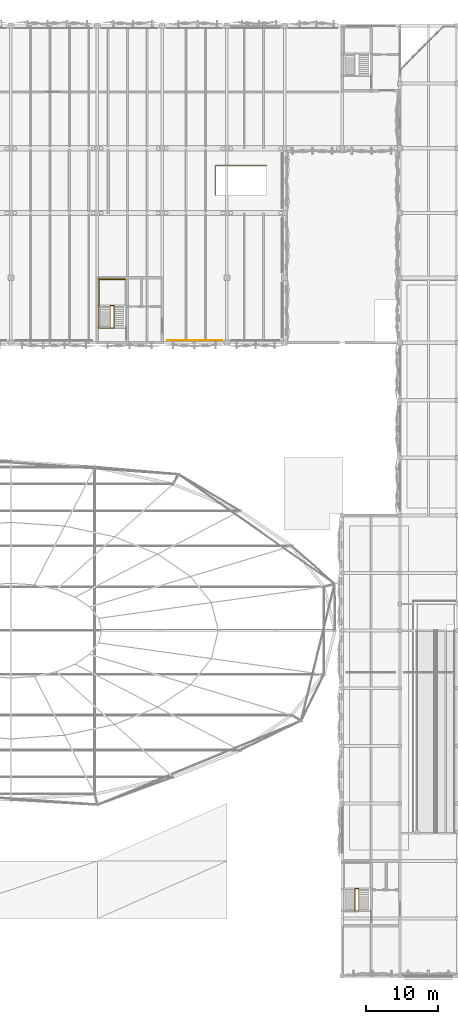
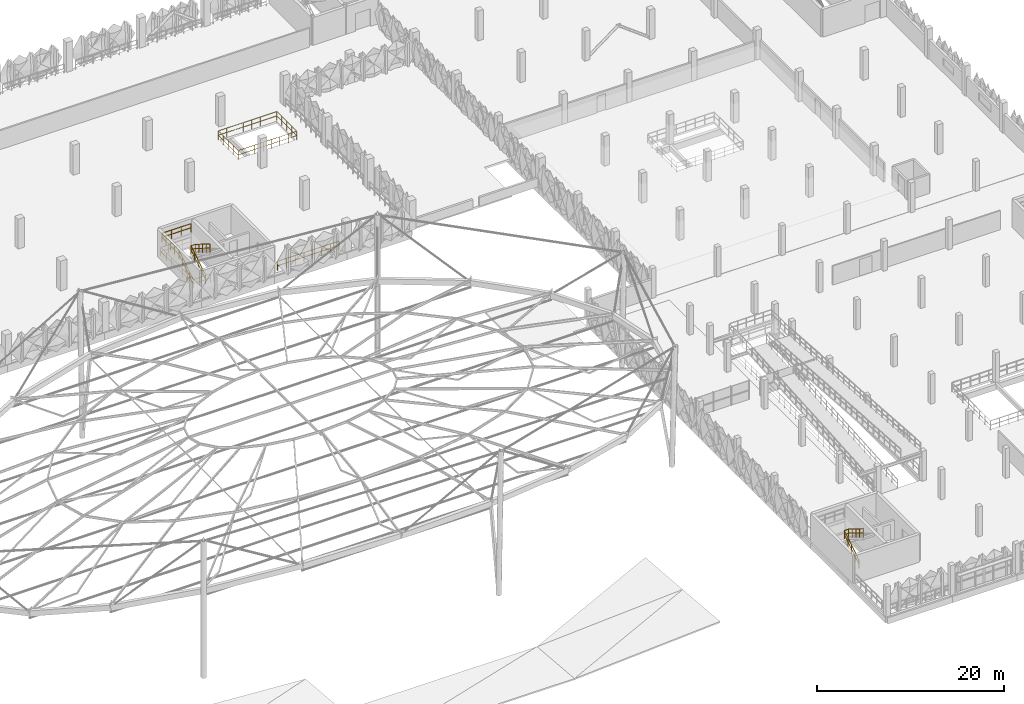
# One storey, part 87 of 96: 6 railings.
"""IFC4 building model written with IfcOpenShell, lengths in metres."""

from ifc_helpers import new_model, si_unit, derived_unit, direction, frame, origin, origin_2d, place, context, subcontext, project, spatial, circle, extrude, material, type_object, element, save


model = new_model("IFC4")

# Units and contexts
model_context = context("Model", 3, precision=1e-05, world=origin(), true_north=direction((0.0, 1.0)))
body_context = subcontext(model_context, "Body", "Model", "MODEL_VIEW")
ifc_project = project(units=[si_unit("LENGTHUNIT", "METRE"), si_unit("AREAUNIT", "SQUARE_METRE"), si_unit("VOLUMEUNIT", "CUBIC_METRE"), si_unit("PLANEANGLEUNIT", "RADIAN"), si_unit("MASSUNIT", "GRAM", prefix="KILO"), si_unit("THERMODYNAMICTEMPERATUREUNIT", "KELVIN"), derived_unit("THERMALTRANSMITTANCEUNIT", [(si_unit("POWERUNIT", "WATT"), 1), (si_unit("AREAUNIT", "SQUARE_METRE"), -1), (si_unit("THERMODYNAMICTEMPERATUREUNIT", "KELVIN"), -1)])], contexts=[model_context])

# Site, building, storey
site_placement = place(None, origin())
site = spatial("IfcSite", under=ifc_project, at=site_placement, CompositionType="ELEMENT")
building_placement = place(site_placement, origin())
building = spatial("IfcBuilding", under=site, at=building_placement, Name="Haiyu Intermodal Mobility Hub", CompositionType="ELEMENT")
storey_placement = place(building_placement, frame((0.0, 0.0, 9.5)))
storey = spatial("IfcBuildingStorey", under=building, at=storey_placement, Name="L02", CompositionType="ELEMENT", Elevation=9.5)

# Railings
ifc_material = material(Name="Steel Q355C", Category="steel")
railing_type_1 = type_object("IfcRailingType", Name="RAL-GR01", PredefinedType="GUARDRAIL", material=ifc_material)
railing_1_placement = place(storey_placement, frame((129.699951171875, 104.340087890625, 0.0)))
element("IfcRailing", 1, at=railing_1_placement, inside=storey, type_object=railing_type_1, Name="RAL-CAR-S-0139", PredefinedType="GUARDRAIL", context=body_context, shape_type="SweptSolid", body=[
    extrude(circle(Radius=0.02392578125, at=origin_2d()), frame((0.030029296875, 0.0, 1.17578125), z_axis=(1.0, 0.0, 0.0), x_axis=(0.0, 1.0, 0.0)), (0.0, 0.0, 1.0), 7.5400390625),
    extrude(circle(Radius=0.02392578125, at=origin_2d()), frame((0.037353515625, 0.0, 0.60009765625), z_axis=(1.0, 0.0, 0.0), x_axis=(0.0, 1.0, 0.0)), (0.0, 0.0, 1.0), 1.01123046875),
    extrude(circle(Radius=0.02392578125, at=origin_2d()), frame((1.123046875, 0.0, 0.60009765625), z_axis=(1.0, 0.0, 0.0), x_axis=(0.0, 1.0, 0.0)), (0.0, 0.0, 1.0), 1.01123046875),
    extrude(circle(Radius=0.02392578125, at=origin_2d()), frame((2.208740234375, 0.0, 0.60009765625), z_axis=(1.0, 0.0, 0.0), x_axis=(0.0, 1.0, 0.0)), (0.0, 0.0, 1.0), 1.01123046875),
    extrude(circle(Radius=0.02392578125, at=origin_2d()), frame((3.29443359375, 0.0, 0.60009765625), z_axis=(1.0, 0.0, 0.0), x_axis=(0.0, 1.0, 0.0)), (0.0, 0.0, 1.0), 1.01123046875),
    extrude(circle(Radius=0.02392578125, at=origin_2d()), frame((4.380126953125, 0.0, 0.60009765625), z_axis=(1.0, 0.0, 0.0), x_axis=(0.0, 1.0, 0.0)), (0.0, 0.0, 1.0), 1.01123046875),
    extrude(circle(Radius=0.02392578125, at=origin_2d()), frame((5.4658203125, 0.0, 0.60009765625), z_axis=(1.0, 0.0, 0.0), x_axis=(0.0, 1.0, 0.0)), (0.0, 0.0, 1.0), 1.01123046875),
    extrude(circle(Radius=0.02392578125, at=origin_2d()), frame((6.5517578125, 0.0, 0.60009765625), z_axis=(1.0, 0.0, 0.0), x_axis=(0.0, 1.0, 0.0)), (0.0, 0.0, 1.0), 1.01123046875),
    extrude(circle(Radius=0.02099609375, at=origin_2d()), origin(), (0.0, 0.0, 1.0), 1.143798828125),
    extrude(circle(Radius=0.02099609375, at=origin_2d()), frame((1.085693359375, 0.0, 0.0)), (0.0, 0.0, 1.0), 1.143798828125),
    extrude(circle(Radius=0.02099609375, at=origin_2d()), frame((2.17138671875, 0.0, 0.0)), (0.0, 0.0, 1.0), 1.143798828125),
    extrude(circle(Radius=0.02099609375, at=origin_2d()), frame((3.257080078125, 0.0, 0.0)), (0.0, 0.0, 1.0), 1.143798828125),
    extrude(circle(Radius=0.02099609375, at=origin_2d()), frame((4.343017578125, 0.0, 0.0)), (0.0, 0.0, 1.0), 1.143798828125),
    extrude(circle(Radius=0.02099609375, at=origin_2d()), frame((5.4287109375, 0.0, 0.0)), (0.0, 0.0, 1.0), 1.143798828125),
    extrude(circle(Radius=0.02099609375, at=origin_2d()), frame((6.514404296875, 0.0, 0.0)), (0.0, 0.0, 1.0), 1.143798828125),
    extrude(circle(Radius=0.02099609375, at=origin_2d()), frame((7.60009765625, 0.0, 0.0)), (0.0, 0.0, 1.0), 1.143798828125),
])
railing_2_placement = place(storey_placement, frame((136.3798828125, 124.3798828125, 0.0)))
element("IfcRailing", 2, at=railing_2_placement, inside=storey, type_object=railing_type_1, Name="RAL-V4VOID-L02-E", PredefinedType="GUARDRAIL", context=body_context, shape_type="SweptSolid", body=[
    extrude(circle(Radius=0.02392578125, at=origin_2d()), frame((0.030029296875, 0.0, 1.15576171875), z_axis=(1.0, 0.0, 0.0), x_axis=(0.0, 1.0, 0.0)), (0.0, 0.0, 1.0), 7.18017578125),
    extrude(circle(Radius=0.02392578125, at=origin_2d()), frame((0.037353515625, 0.0, 0.58984375), z_axis=(1.0, 0.0, 0.0), x_axis=(0.0, 1.0, 0.0)), (0.0, 0.0, 1.0), 0.959716796875),
    extrude(circle(Radius=0.02392578125, at=origin_2d()), frame((1.071533203125, 0.0, 0.58984375), z_axis=(1.0, 0.0, 0.0), x_axis=(0.0, 1.0, 0.0)), (0.0, 0.0, 1.0), 0.959716796875),
    extrude(circle(Radius=0.02392578125, at=origin_2d()), frame((2.10595703125, 0.0, 0.58984375), z_axis=(1.0, 0.0, 0.0), x_axis=(0.0, 1.0, 0.0)), (0.0, 0.0, 1.0), 0.959716796875),
    extrude(circle(Radius=0.02392578125, at=origin_2d()), frame((3.14013671875, 0.0, 0.58984375), z_axis=(1.0, 0.0, 0.0), x_axis=(0.0, 1.0, 0.0)), (0.0, 0.0, 1.0), 0.959716796875),
    extrude(circle(Radius=0.02392578125, at=origin_2d()), frame((4.174560546875, 0.0, 0.58984375), z_axis=(1.0, 0.0, 0.0), x_axis=(0.0, 1.0, 0.0)), (0.0, 0.0, 1.0), 0.959716796875),
    extrude(circle(Radius=0.02392578125, at=origin_2d()), frame((5.208984375, 0.0, 0.58984375), z_axis=(1.0, 0.0, 0.0), x_axis=(0.0, 1.0, 0.0)), (0.0, 0.0, 1.0), 0.959716796875),
    extrude(circle(Radius=0.02392578125, at=origin_2d()), frame((6.2431640625, 0.0, 0.58984375), z_axis=(1.0, 0.0, 0.0), x_axis=(0.0, 1.0, 0.0)), (0.0, 0.0, 1.0), 0.959716796875),
    extrude(circle(Radius=0.02392578125, at=origin_2d()), frame((7.240234375, 0.030029296875, 1.15576171875), z_axis=(0.0, 1.0, 0.0), x_axis=(-1.0, 0.0, 0.0)), (0.0, 0.0, 1.0), 4.18017578125),
    extrude(circle(Radius=0.02392578125, at=origin_2d()), frame((7.240234375, 0.037353515625, 0.58984375), z_axis=(0.0, 1.0, 0.0), x_axis=(-1.0, 0.0, 0.0)), (0.0, 0.0, 1.0), 0.9853515625),
    extrude(circle(Radius=0.02392578125, at=origin_2d()), frame((7.240234375, 1.097412109375, 0.58984375), z_axis=(0.0, 1.0, 0.0), x_axis=(-1.0, 0.0, 0.0)), (0.0, 0.0, 1.0), 0.9853515625),
    extrude(circle(Radius=0.02392578125, at=origin_2d()), frame((7.240234375, 2.157470703125, 0.58984375), z_axis=(0.0, 1.0, 0.0), x_axis=(-1.0, 0.0, 0.0)), (0.0, 0.0, 1.0), 0.9853515625),
    extrude(circle(Radius=0.02392578125, at=origin_2d()), frame((7.240234375, 3.217529296875, 0.58984375), z_axis=(0.0, 1.0, 0.0), x_axis=(-1.0, 0.0, 0.0)), (0.0, 0.0, 1.0), 0.9853515625),
    extrude(circle(Radius=0.02392578125, at=origin_2d()), frame((7.210205078125, 4.240234375, 1.15576171875), z_axis=(-1.0, 0.0, 0.0), x_axis=(0.0, -1.0, 0.0)), (0.0, 0.0, 1.0), 7.18017578125),
    extrude(circle(Radius=0.02392578125, at=origin_2d()), frame((7.202880859375, 4.240234375, 0.58984375), z_axis=(-1.0, 0.0, 0.0), x_axis=(0.0, -1.0, 0.0)), (0.0, 0.0, 1.0), 0.959716796875),
    extrude(circle(Radius=0.02392578125, at=origin_2d()), frame((6.168701171875, 4.240234375, 0.58984375), z_axis=(-1.0, 0.0, 0.0), x_axis=(0.0, -1.0, 0.0)), (0.0, 0.0, 1.0), 0.959716796875),
    extrude(circle(Radius=0.02392578125, at=origin_2d()), frame((5.13427734375, 4.240234375, 0.58984375), z_axis=(-1.0, 0.0, 0.0), x_axis=(0.0, -1.0, 0.0)), (0.0, 0.0, 1.0), 0.959716796875),
    extrude(circle(Radius=0.02392578125, at=origin_2d()), frame((4.10009765625, 4.240234375, 0.58984375), z_axis=(-1.0, 0.0, 0.0), x_axis=(0.0, -1.0, 0.0)), (0.0, 0.0, 1.0), 0.959716796875),
    extrude(circle(Radius=0.02392578125, at=origin_2d()), frame((3.065673828125, 4.240234375, 0.58984375), z_axis=(-1.0, 0.0, 0.0), x_axis=(0.0, -1.0, 0.0)), (0.0, 0.0, 1.0), 0.959716796875),
    extrude(circle(Radius=0.02392578125, at=origin_2d()), frame((2.03125, 4.240234375, 0.58984375), z_axis=(-1.0, 0.0, 0.0), x_axis=(0.0, -1.0, 0.0)), (0.0, 0.0, 1.0), 0.959716796875),
    extrude(circle(Radius=0.02392578125, at=origin_2d()), frame((0.9970703125, 4.240234375, 0.58984375), z_axis=(-1.0, 0.0, 0.0), x_axis=(0.0, -1.0, 0.0)), (0.0, 0.0, 1.0), 0.959716796875),
    extrude(circle(Radius=0.02392578125, at=origin_2d()), frame((0.0, 4.210205078125, 1.15576171875), z_axis=(0.0, -1.0, 0.0), x_axis=(1.0, 0.0, 0.0)), (0.0, 0.0, 1.0), 4.18017578125),
    extrude(circle(Radius=0.02392578125, at=origin_2d()), frame((0.0, 4.202880859375, 0.58984375), z_axis=(0.0, -1.0, 0.0), x_axis=(1.0, 0.0, 0.0)), (0.0, 0.0, 1.0), 0.9853515625),
    extrude(circle(Radius=0.02392578125, at=origin_2d()), frame((0.0, 3.142822265625, 0.58984375), z_axis=(0.0, -1.0, 0.0), x_axis=(1.0, 0.0, 0.0)), (0.0, 0.0, 1.0), 0.9853515625),
    extrude(circle(Radius=0.02392578125, at=origin_2d()), frame((0.0, 2.082763671875, 0.58984375), z_axis=(0.0, -1.0, 0.0), x_axis=(1.0, 0.0, 0.0)), (0.0, 0.0, 1.0), 0.9853515625),
    extrude(circle(Radius=0.02392578125, at=origin_2d()), frame((0.0, 1.022705078125, 0.58984375), z_axis=(0.0, -1.0, 0.0), x_axis=(1.0, 0.0, 0.0)), (0.0, 0.0, 1.0), 0.9853515625),
    extrude(circle(Radius=0.02099609375, at=origin_2d()), origin(), (0.0, 0.0, 1.0), 1.123779296875),
    extrude(circle(Radius=0.02099609375, at=origin_2d()), frame((1.034423828125, 0.0, 0.0)), (0.0, 0.0, 1.0), 1.123779296875),
    extrude(circle(Radius=0.02099609375, at=origin_2d()), frame((2.068603515625, 0.0, 0.0)), (0.0, 0.0, 1.0), 1.123779296875),
    extrude(circle(Radius=0.02099609375, at=origin_2d()), frame((3.10302734375, 0.0, 0.0)), (0.0, 0.0, 1.0), 1.123779296875),
    extrude(circle(Radius=0.02099609375, at=origin_2d()), frame((4.13720703125, 0.0, 0.0)), (0.0, 0.0, 1.0), 1.123779296875),
    extrude(circle(Radius=0.02099609375, at=origin_2d()), frame((5.171630859375, 0.0, 0.0)), (0.0, 0.0, 1.0), 1.123779296875),
    extrude(circle(Radius=0.02099609375, at=origin_2d()), frame((6.205810546875, 0.0, 0.0)), (0.0, 0.0, 1.0), 1.123779296875),
    extrude(circle(Radius=0.02099609375, at=origin_2d()), frame((7.240234375, 0.0, 0.0)), (0.0, 0.0, 1.0), 1.123779296875),
    extrude(circle(Radius=0.02099609375, at=origin_2d()), frame((7.240234375, 1.06005859375, 0.0)), (0.0, 0.0, 1.0), 1.123779296875),
    extrude(circle(Radius=0.02099609375, at=origin_2d()), frame((7.240234375, 2.1201171875, 0.0)), (0.0, 0.0, 1.0), 1.123779296875),
    extrude(circle(Radius=0.02099609375, at=origin_2d()), frame((7.240234375, 3.18017578125, 0.0)), (0.0, 0.0, 1.0), 1.123779296875),
    extrude(circle(Radius=0.02099609375, at=origin_2d()), frame((7.240234375, 4.240234375, 0.0)), (0.0, 0.0, 1.0), 1.123779296875),
    extrude(circle(Radius=0.02099609375, at=origin_2d()), frame((6.205810546875, 4.240234375, 0.0)), (0.0, 0.0, 1.0), 1.123779296875),
    extrude(circle(Radius=0.02099609375, at=origin_2d()), frame((5.171630859375, 4.240234375, 0.0)), (0.0, 0.0, 1.0), 1.123779296875),
    extrude(circle(Radius=0.02099609375, at=origin_2d()), frame((4.13720703125, 4.240234375, 0.0)), (0.0, 0.0, 1.0), 1.123779296875),
    extrude(circle(Radius=0.02099609375, at=origin_2d()), frame((3.10302734375, 4.240234375, 0.0)), (0.0, 0.0, 1.0), 1.123779296875),
    extrude(circle(Radius=0.02099609375, at=origin_2d()), frame((2.068603515625, 4.240234375, 0.0)), (0.0, 0.0, 1.0), 1.123779296875),
    extrude(circle(Radius=0.02099609375, at=origin_2d()), frame((1.034423828125, 4.240234375, 0.0)), (0.0, 0.0, 1.0), 1.123779296875),
    extrude(circle(Radius=0.02099609375, at=origin_2d()), frame((0.0, 4.240234375, 0.0)), (0.0, 0.0, 1.0), 1.123779296875),
    extrude(circle(Radius=0.02099609375, at=origin_2d()), frame((0.0, 3.18017578125, 0.0)), (0.0, 0.0, 1.0), 1.123779296875),
    extrude(circle(Radius=0.02099609375, at=origin_2d()), frame((0.0, 2.1201171875, 0.0)), (0.0, 0.0, 1.0), 1.123779296875),
    extrude(circle(Radius=0.02099609375, at=origin_2d()), frame((0.0, 1.06005859375, 0.0)), (0.0, 0.0, 1.0), 1.123779296875),
])
railing_type_2 = type_object("IfcRailingType", Name="RAL-GR03", PredefinedType="GUARDRAIL", material=ifc_material)
railing_3_placement = place(storey_placement, frame((122.31005859375, 106.010009765625, 0.0)))
element("IfcRailing", 3, at=railing_3_placement, inside=storey, type_object=railing_type_2, Name="Stair Shaft Floor Guard STR-C6-L01", PredefinedType="GUARDRAIL", context=body_context, shape_type="SweptSolid", body=[
    extrude(circle(Radius=0.02392578125, at=origin_2d()), frame((-0.030029296875, 0.0, 1.09619140625), z_axis=(-1.0, 0.0, 0.0), x_axis=(0.0, -1.0, 0.0)), (0.0, 0.0, 1.0), 2.030029296875),
    extrude(circle(Radius=0.02392578125, at=origin_2d()), frame((-0.037353515625, 0.0, 0.56005859375), z_axis=(-1.0, 0.0, 0.0), x_axis=(0.0, -1.0, 0.0)), (0.0, 0.0, 1.0), 0.970458984375),
    extrude(circle(Radius=0.02392578125, at=origin_2d()), frame((-1.082275390625, 0.0, 0.56005859375), z_axis=(-1.0, 0.0, 0.0), x_axis=(0.0, -1.0, 0.0)), (0.0, 0.0, 1.0), 0.970458984375),
    extrude(circle(Radius=0.02392578125, at=origin_2d()), frame((-2.090087890625, 0.030029296875, 1.09619140625), z_axis=(0.0, 1.0, 0.0), x_axis=(-1.0, 0.0, 0.0)), (0.0, 0.0, 1.0), 6.8798828125),
    extrude(circle(Radius=0.02392578125, at=origin_2d()), frame((-2.090087890625, 0.037353515625, 0.56005859375), z_axis=(0.0, 1.0, 0.0), x_axis=(-1.0, 0.0, 0.0)), (0.0, 0.0, 1.0), 1.08203125),
    extrude(circle(Radius=0.02392578125, at=origin_2d()), frame((-2.090087890625, 1.19384765625, 0.56005859375), z_axis=(0.0, 1.0, 0.0), x_axis=(-1.0, 0.0, 0.0)), (0.0, 0.0, 1.0), 1.08203125),
    extrude(circle(Radius=0.02392578125, at=origin_2d()), frame((-2.090087890625, 2.3505859375, 0.56005859375), z_axis=(0.0, 1.0, 0.0), x_axis=(-1.0, 0.0, 0.0)), (0.0, 0.0, 1.0), 1.08203125),
    extrude(circle(Radius=0.02392578125, at=origin_2d()), frame((-2.090087890625, 3.50732421875, 0.56005859375), z_axis=(0.0, 1.0, 0.0), x_axis=(-1.0, 0.0, 0.0)), (0.0, 0.0, 1.0), 1.08203125),
    extrude(circle(Radius=0.02392578125, at=origin_2d()), frame((-2.090087890625, 4.663818359375, 0.56005859375), z_axis=(0.0, 1.0, 0.0), x_axis=(-1.0, 0.0, 0.0)), (0.0, 0.0, 1.0), 1.08203125),
    extrude(circle(Radius=0.02392578125, at=origin_2d()), frame((-2.090087890625, 5.820556640625, 0.56005859375), z_axis=(0.0, 1.0, 0.0), x_axis=(-1.0, 0.0, 0.0)), (0.0, 0.0, 1.0), 1.08203125),
    extrude(circle(Radius=0.02392578125, at=origin_2d()), frame((-2.06005859375, 6.93994140625, 1.09619140625), z_axis=(1.0, 0.0, 0.0), x_axis=(0.0, 1.0, 0.0)), (0.0, 0.0, 1.0), 3.590087890625),
    extrude(circle(Radius=0.02392578125, at=origin_2d()), frame((-2.052734375, 6.93994140625, 0.56005859375), z_axis=(1.0, 0.0, 0.0), x_axis=(0.0, 1.0, 0.0)), (0.0, 0.0, 1.0), 0.837890625),
    extrude(circle(Radius=0.02392578125, at=origin_2d()), frame((-1.14013671875, 6.93994140625, 0.56005859375), z_axis=(1.0, 0.0, 0.0), x_axis=(0.0, 1.0, 0.0)), (0.0, 0.0, 1.0), 0.837890625),
    extrude(circle(Radius=0.02392578125, at=origin_2d()), frame((-0.227783203125, 6.93994140625, 0.56005859375), z_axis=(1.0, 0.0, 0.0), x_axis=(0.0, 1.0, 0.0)), (0.0, 0.0, 1.0), 0.837890625),
    extrude(circle(Radius=0.02392578125, at=origin_2d()), frame((0.684814453125, 6.93994140625, 0.56005859375), z_axis=(1.0, 0.0, 0.0), x_axis=(0.0, 1.0, 0.0)), (0.0, 0.0, 1.0), 0.837890625),
    extrude(circle(Radius=0.02099609375, at=origin_2d()), origin(), (0.0, 0.0, 1.0), 1.06396484375),
    extrude(circle(Radius=0.02099609375, at=origin_2d()), frame((-1.044921875, 0.0, 0.0)), (0.0, 0.0, 1.0), 1.06396484375),
    extrude(circle(Radius=0.02099609375, at=origin_2d()), frame((-2.090087890625, 0.0, 0.0)), (0.0, 0.0, 1.0), 1.06396484375),
    extrude(circle(Radius=0.02099609375, at=origin_2d()), frame((-2.090087890625, 1.15673828125, 0.0)), (0.0, 0.0, 1.0), 1.06396484375),
    extrude(circle(Radius=0.02099609375, at=origin_2d()), frame((-2.090087890625, 2.313232421875, 0.0)), (0.0, 0.0, 1.0), 1.06396484375),
    extrude(circle(Radius=0.02099609375, at=origin_2d()), frame((-2.090087890625, 3.469970703125, 0.0)), (0.0, 0.0, 1.0), 1.06396484375),
    extrude(circle(Radius=0.02099609375, at=origin_2d()), frame((-2.090087890625, 4.626708984375, 0.0)), (0.0, 0.0, 1.0), 1.06396484375),
    extrude(circle(Radius=0.02099609375, at=origin_2d()), frame((-2.090087890625, 5.783203125, 0.0)), (0.0, 0.0, 1.0), 1.06396484375),
    extrude(circle(Radius=0.02099609375, at=origin_2d()), frame((-2.090087890625, 6.93994140625, 0.0)), (0.0, 0.0, 1.0), 1.06396484375),
    extrude(circle(Radius=0.02099609375, at=origin_2d()), frame((-1.177490234375, 6.93994140625, 0.0)), (0.0, 0.0, 1.0), 1.06396484375),
    extrude(circle(Radius=0.02099609375, at=origin_2d()), frame((-0.26513671875, 6.93994140625, 0.0)), (0.0, 0.0, 1.0), 1.06396484375),
    extrude(circle(Radius=0.02099609375, at=origin_2d()), frame((0.6474609375, 6.93994140625, 0.0)), (0.0, 0.0, 1.0), 1.06396484375),
    extrude(circle(Radius=0.02099609375, at=origin_2d()), frame((1.56005859375, 6.93994140625, 0.0)), (0.0, 0.0, 1.0), 1.06396484375),
])
railing_4_placement = place(storey_placement, frame((121.780029296875, 106.050048828125, 0.0)))
element("IfcRailing", 4, at=railing_4_placement, inside=storey, type_object=railing_type_2, Name="Stair Well Guard STR-C6-L02", PredefinedType="GUARDRAIL", context=body_context, shape_type="SweptSolid", body=[
    extrude(circle(Radius=0.02392578125, at=origin_2d()), frame((0.0, 0.025390625, 1.11181640625), z_axis=(0.0, 0.848756196164, 0.528784378999), x_axis=(-1.0, 0.0, 0.0)), (0.0, 0.0, 1.0), 3.627685546875),
    extrude(circle(Radius=0.02392578125, at=origin_2d()), frame((0.0, 0.03173828125, 0.579833984375), z_axis=(0.0, 0.848756196164, 0.528784378999), x_axis=(-1.0, 0.0, 0.0)), (0.0, 0.0, 1.0), 0.847412109375),
    extrude(circle(Radius=0.02392578125, at=origin_2d()), frame((0.0, 0.814208984375, 1.0673828125), z_axis=(0.0, 0.848756196164, 0.528784378999), x_axis=(-1.0, 0.0, 0.0)), (0.0, 0.0, 1.0), 0.847412109375),
    extrude(circle(Radius=0.02392578125, at=origin_2d()), frame((0.0, 1.5966796875, 1.5546875), z_axis=(0.0, 0.848756196164, 0.528784378999), x_axis=(-1.0, 0.0, 0.0)), (0.0, 0.0, 1.0), 0.847412109375),
    extrude(circle(Radius=0.02392578125, at=origin_2d()), frame((0.0, 2.379150390625, 2.042236328125), z_axis=(0.0, 0.848756196164, 0.528784378999), x_axis=(-1.0, 0.0, 0.0)), (0.0, 0.0, 1.0), 0.847412109375),
    extrude(circle(Radius=0.02392578125, at=origin_2d()), frame((0.030029296875, 3.1298828125, 3.0458984375), z_axis=(1.0, 0.0, 0.0), x_axis=(0.0, 1.0, 0.0)), (0.0, 0.0, 1.0), 0.469970703125),
    extrude(circle(Radius=0.02392578125, at=origin_2d()), frame((0.037353515625, 3.1298828125, 2.510009765625), z_axis=(1.0, 0.0, 0.0), x_axis=(0.0, 1.0, 0.0)), (0.0, 0.0, 1.0), 0.455322265625),
    extrude(circle(Radius=0.02392578125, at=origin_2d()), frame((0.530029296875, 3.1044921875, 3.061767578125), z_axis=(0.0, -0.848756196164, 0.528784378999), x_axis=(1.0, 0.0, 0.0)), (0.0, 0.0, 1.0), 3.627685546875),
    extrude(circle(Radius=0.02392578125, at=origin_2d()), frame((0.530029296875, 3.09814453125, 2.52978515625), z_axis=(0.0, -0.848756196164, 0.528784378999), x_axis=(1.0, 0.0, 0.0)), (0.0, 0.0, 1.0), 0.847412109375),
    extrude(circle(Radius=0.02392578125, at=origin_2d()), frame((0.530029296875, 2.315673828125, 3.017333984375), z_axis=(0.0, -0.848756196164, 0.528784378999), x_axis=(1.0, 0.0, 0.0)), (0.0, 0.0, 1.0), 0.847412109375),
    extrude(circle(Radius=0.02392578125, at=origin_2d()), frame((0.530029296875, 1.533203125, 3.504638671875), z_axis=(0.0, -0.848756196164, 0.528784378999), x_axis=(1.0, 0.0, 0.0)), (0.0, 0.0, 1.0), 0.847412109375),
    extrude(circle(Radius=0.02392578125, at=origin_2d()), frame((0.530029296875, 0.750732421875, 3.9921875), z_axis=(0.0, -0.848756196164, 0.528784378999), x_axis=(1.0, 0.0, 0.0)), (0.0, 0.0, 1.0), 0.847412109375),
    extrude(circle(Radius=0.02099609375, at=origin_2d()), origin(), (0.0, 0.0, 1.0), 1.06396484375),
    extrude(circle(Radius=0.02099609375, at=origin_2d()), frame((0.0, 0.782470703125, 0.487548828125)), (0.0, 0.0, 1.0), 1.06396484375),
    extrude(circle(Radius=0.02099609375, at=origin_2d()), frame((0.0, 1.56494140625, 0.97509765625)), (0.0, 0.0, 1.0), 1.06396484375),
    extrude(circle(Radius=0.02099609375, at=origin_2d()), frame((0.0, 2.347412109375, 1.46240234375)), (0.0, 0.0, 1.0), 1.06396484375),
    extrude(circle(Radius=0.02099609375, at=origin_2d()), frame((0.0, 3.1298828125, 1.949951171875)), (0.0, 0.0, 1.0), 1.06396484375),
    extrude(circle(Radius=0.02099609375, at=origin_2d()), frame((0.530029296875, 3.1298828125, 1.949951171875)), (0.0, 0.0, 1.0), 1.06396484375),
    extrude(circle(Radius=0.02099609375, at=origin_2d()), frame((0.530029296875, 2.347412109375, 2.4375)), (0.0, 0.0, 1.0), 1.06396484375),
    extrude(circle(Radius=0.02099609375, at=origin_2d()), frame((0.530029296875, 1.56494140625, 2.9248046875)), (0.0, 0.0, 1.0), 1.06396484375),
    extrude(circle(Radius=0.02099609375, at=origin_2d()), frame((0.530029296875, 0.782470703125, 3.412353515625)), (0.0, 0.0, 1.0), 1.06396484375),
    extrude(circle(Radius=0.02099609375, at=origin_2d()), frame((0.530029296875, 0.0, 3.89990234375)), (0.0, 0.0, 1.0), 1.06396484375),
])
railing_5_placement = place(storey_placement, frame((120.25, 106.050048828125, 0.0)))
element("IfcRailing", 5, at=railing_5_placement, inside=storey, type_object=railing_type_2, Name="Stair Outer Guard STR-C6-L02", PredefinedType="GUARDRAIL", context=body_context, shape_type="SweptSolid", body=[
    extrude(circle(Radius=0.02392578125, at=origin_2d()), frame((0.0, 0.025390625, 1.112060546875), z_axis=(0.0, 0.844894753029, 0.534932571736), x_axis=(-1.0, 0.0, 0.0)), (0.0, 0.0, 1.0), 3.585205078125),
    extrude(circle(Radius=0.02392578125, at=origin_2d()), frame((0.0, 0.031494140625, 0.580078125), z_axis=(0.0, 0.844894753029, 0.534932571736), x_axis=(-1.0, 0.0, 0.0)), (0.0, 0.0, 1.0), 0.836669921875),
    extrude(circle(Radius=0.02392578125, at=origin_2d()), frame((0.0, 0.801513671875, 1.0673828125), z_axis=(0.0, 0.844894753029, 0.534932571736), x_axis=(-1.0, 0.0, 0.0)), (0.0, 0.0, 1.0), 0.836669921875),
    extrude(circle(Radius=0.02392578125, at=origin_2d()), frame((0.0, 1.571533203125, 1.554931640625), z_axis=(0.0, 0.844894753029, 0.534932571736), x_axis=(-1.0, 0.0, 0.0)), (0.0, 0.0, 1.0), 0.836669921875),
    extrude(circle(Radius=0.02392578125, at=origin_2d()), frame((0.0, 2.34130859375, 2.04248046875), z_axis=(0.0, 0.844894753029, 0.534932571736), x_axis=(-1.0, 0.0, 0.0)), (0.0, 0.0, 1.0), 0.836669921875),
    extrude(circle(Radius=0.02392578125, at=origin_2d()), frame((0.0, 3.10986328125, 3.0458984375), z_axis=(0.0, 1.0, 0.0), x_axis=(-1.0, 0.0, 0.0)), (0.0, 0.0, 1.0), 3.570068359375),
    extrude(circle(Radius=0.02392578125, at=origin_2d()), frame((0.0, 3.1171875, 2.510009765625), z_axis=(0.0, 1.0, 0.0), x_axis=(-1.0, 0.0, 0.0)), (0.0, 0.0, 1.0), 0.8330078125),
    extrude(circle(Radius=0.02392578125, at=origin_2d()), frame((0.0, 4.024658203125, 2.510009765625), z_axis=(0.0, 1.0, 0.0), x_axis=(-1.0, 0.0, 0.0)), (0.0, 0.0, 1.0), 0.8330078125),
    extrude(circle(Radius=0.02392578125, at=origin_2d()), frame((0.0, 4.93212890625, 2.510009765625), z_axis=(0.0, 1.0, 0.0), x_axis=(-1.0, 0.0, 0.0)), (0.0, 0.0, 1.0), 0.8330078125),
    extrude(circle(Radius=0.02392578125, at=origin_2d()), frame((0.0, 5.83984375, 2.510009765625), z_axis=(0.0, 1.0, 0.0), x_axis=(-1.0, 0.0, 0.0)), (0.0, 0.0, 1.0), 0.8330078125),
    extrude(circle(Radius=0.02392578125, at=origin_2d()), frame((0.030029296875, 6.7099609375, 3.0458984375), z_axis=(1.0, 0.0, 0.0), x_axis=(0.0, 1.0, 0.0)), (0.0, 0.0, 1.0), 3.52001953125),
    extrude(circle(Radius=0.02392578125, at=origin_2d()), frame((0.037353515625, 6.7099609375, 2.510009765625), z_axis=(1.0, 0.0, 0.0), x_axis=(0.0, 1.0, 0.0)), (0.0, 0.0, 1.0), 1.11865234375),
    extrude(circle(Radius=0.02392578125, at=origin_2d()), frame((1.230712890625, 6.7099609375, 2.510009765625), z_axis=(1.0, 0.0, 0.0), x_axis=(0.0, 1.0, 0.0)), (0.0, 0.0, 1.0), 1.11865234375),
    extrude(circle(Radius=0.02392578125, at=origin_2d()), frame((2.424072265625, 6.7099609375, 2.510009765625), z_axis=(1.0, 0.0, 0.0), x_axis=(0.0, 1.0, 0.0)), (0.0, 0.0, 1.0), 1.11865234375),
    extrude(circle(Radius=0.02099609375, at=origin_2d()), origin(), (0.0, 0.0, 1.0), 1.06396484375),
    extrude(circle(Radius=0.02099609375, at=origin_2d()), frame((0.0, 0.77001953125, 0.487548828125)), (0.0, 0.0, 1.0), 1.06396484375),
    extrude(circle(Radius=0.02099609375, at=origin_2d()), frame((0.0, 1.5400390625, 0.97509765625)), (0.0, 0.0, 1.0), 1.06396484375),
    extrude(circle(Radius=0.02099609375, at=origin_2d()), frame((0.0, 2.309814453125, 1.46240234375)), (0.0, 0.0, 1.0), 1.06396484375),
    extrude(circle(Radius=0.02099609375, at=origin_2d()), frame((0.0, 3.079833984375, 1.949951171875)), (0.0, 0.0, 1.0), 1.06396484375),
    extrude(circle(Radius=0.02099609375, at=origin_2d()), frame((0.0, 3.9873046875, 1.949951171875)), (0.0, 0.0, 1.0), 1.06396484375),
    extrude(circle(Radius=0.02099609375, at=origin_2d()), frame((0.0, 4.89501953125, 1.949951171875)), (0.0, 0.0, 1.0), 1.06396484375),
    extrude(circle(Radius=0.02099609375, at=origin_2d()), frame((0.0, 5.802490234375, 1.949951171875)), (0.0, 0.0, 1.0), 1.06396484375),
    extrude(circle(Radius=0.02099609375, at=origin_2d()), frame((0.0, 6.7099609375, 1.949951171875)), (0.0, 0.0, 1.0), 1.06396484375),
    extrude(circle(Radius=0.02099609375, at=origin_2d()), frame((1.193359375, 6.7099609375, 1.949951171875)), (0.0, 0.0, 1.0), 1.06396484375),
    extrude(circle(Radius=0.02099609375, at=origin_2d()), frame((2.38671875, 6.7099609375, 1.949951171875)), (0.0, 0.0, 1.0), 1.06396484375),
    extrude(circle(Radius=0.02099609375, at=origin_2d()), frame((3.580078125, 6.7099609375, 1.949951171875)), (0.0, 0.0, 1.0), 1.06396484375),
])
railing_6_placement = place(storey_placement, frame((155.780029296875, 25.050048828125, 0.0)))
element("IfcRailing", 6, at=railing_6_placement, inside=storey, type_object=railing_type_2, Name="Stair Well Guard STR-C8-L02", PredefinedType="GUARDRAIL", context=body_context, shape_type="SweptSolid", body=[
    extrude(circle(Radius=0.02392578125, at=origin_2d()), frame((0.0, 0.025390625, 1.11181640625), z_axis=(0.0, 0.848756196164, 0.528784378999), x_axis=(-1.0, 0.0, 0.0)), (0.0, 0.0, 1.0), 3.627685546875),
    extrude(circle(Radius=0.02392578125, at=origin_2d()), frame((0.0, 0.03173828125, 0.579833984375), z_axis=(0.0, 0.848756196164, 0.528784378999), x_axis=(-1.0, 0.0, 0.0)), (0.0, 0.0, 1.0), 0.847412109375),
    extrude(circle(Radius=0.02392578125, at=origin_2d()), frame((0.0, 0.814208984375, 1.0673828125), z_axis=(0.0, 0.848756196164, 0.528784378999), x_axis=(-1.0, 0.0, 0.0)), (0.0, 0.0, 1.0), 0.847412109375),
    extrude(circle(Radius=0.02392578125, at=origin_2d()), frame((0.0, 1.5966796875, 1.5546875), z_axis=(0.0, 0.848756196164, 0.528784378999), x_axis=(-1.0, 0.0, 0.0)), (0.0, 0.0, 1.0), 0.847412109375),
    extrude(circle(Radius=0.02392578125, at=origin_2d()), frame((0.0, 2.379150390625, 2.042236328125), z_axis=(0.0, 0.848756196164, 0.528784378999), x_axis=(-1.0, 0.0, 0.0)), (0.0, 0.0, 1.0), 0.847412109375),
    extrude(circle(Radius=0.02392578125, at=origin_2d()), frame((0.030029296875, 3.1298828125, 3.0458984375), z_axis=(1.0, 0.0, 0.0), x_axis=(0.0, 1.0, 0.0)), (0.0, 0.0, 1.0), 0.469970703125),
    extrude(circle(Radius=0.02392578125, at=origin_2d()), frame((0.037353515625, 3.1298828125, 2.510009765625), z_axis=(1.0, 0.0, 0.0), x_axis=(0.0, 1.0, 0.0)), (0.0, 0.0, 1.0), 0.455322265625),
    extrude(circle(Radius=0.02392578125, at=origin_2d()), frame((0.530029296875, 3.1044921875, 3.061767578125), z_axis=(0.0, -0.848756196164, 0.528784378999), x_axis=(1.0, 0.0, 0.0)), (0.0, 0.0, 1.0), 3.627685546875),
    extrude(circle(Radius=0.02392578125, at=origin_2d()), frame((0.530029296875, 3.09814453125, 2.52978515625), z_axis=(0.0, -0.848756196164, 0.528784378999), x_axis=(1.0, 0.0, 0.0)), (0.0, 0.0, 1.0), 0.847412109375),
    extrude(circle(Radius=0.02392578125, at=origin_2d()), frame((0.530029296875, 2.315673828125, 3.017333984375), z_axis=(0.0, -0.848756196164, 0.528784378999), x_axis=(1.0, 0.0, 0.0)), (0.0, 0.0, 1.0), 0.847412109375),
    extrude(circle(Radius=0.02392578125, at=origin_2d()), frame((0.530029296875, 1.533203125, 3.504638671875), z_axis=(0.0, -0.848756196164, 0.528784378999), x_axis=(1.0, 0.0, 0.0)), (0.0, 0.0, 1.0), 0.847412109375),
    extrude(circle(Radius=0.02392578125, at=origin_2d()), frame((0.530029296875, 0.750732421875, 3.9921875), z_axis=(0.0, -0.848756196164, 0.528784378999), x_axis=(1.0, 0.0, 0.0)), (0.0, 0.0, 1.0), 0.847412109375),
    extrude(circle(Radius=0.02099609375, at=origin_2d()), origin(), (0.0, 0.0, 1.0), 1.06396484375),
    extrude(circle(Radius=0.02099609375, at=origin_2d()), frame((0.0, 0.782470703125, 0.487548828125)), (0.0, 0.0, 1.0), 1.06396484375),
    extrude(circle(Radius=0.02099609375, at=origin_2d()), frame((0.0, 1.56494140625, 0.97509765625)), (0.0, 0.0, 1.0), 1.06396484375),
    extrude(circle(Radius=0.02099609375, at=origin_2d()), frame((0.0, 2.347412109375, 1.46240234375)), (0.0, 0.0, 1.0), 1.06396484375),
    extrude(circle(Radius=0.02099609375, at=origin_2d()), frame((0.0, 3.1298828125, 1.949951171875)), (0.0, 0.0, 1.0), 1.06396484375),
    extrude(circle(Radius=0.02099609375, at=origin_2d()), frame((0.530029296875, 3.1298828125, 1.949951171875)), (0.0, 0.0, 1.0), 1.06396484375),
    extrude(circle(Radius=0.02099609375, at=origin_2d()), frame((0.530029296875, 2.347412109375, 2.4375)), (0.0, 0.0, 1.0), 1.06396484375),
    extrude(circle(Radius=0.02099609375, at=origin_2d()), frame((0.530029296875, 1.56494140625, 2.9248046875)), (0.0, 0.0, 1.0), 1.06396484375),
    extrude(circle(Radius=0.02099609375, at=origin_2d()), frame((0.530029296875, 0.782470703125, 3.412353515625)), (0.0, 0.0, 1.0), 1.06396484375),
    extrude(circle(Radius=0.02099609375, at=origin_2d()), frame((0.530029296875, 0.0, 3.89990234375)), (0.0, 0.0, 1.0), 1.06396484375),
])

save(model, "model.ifc")
